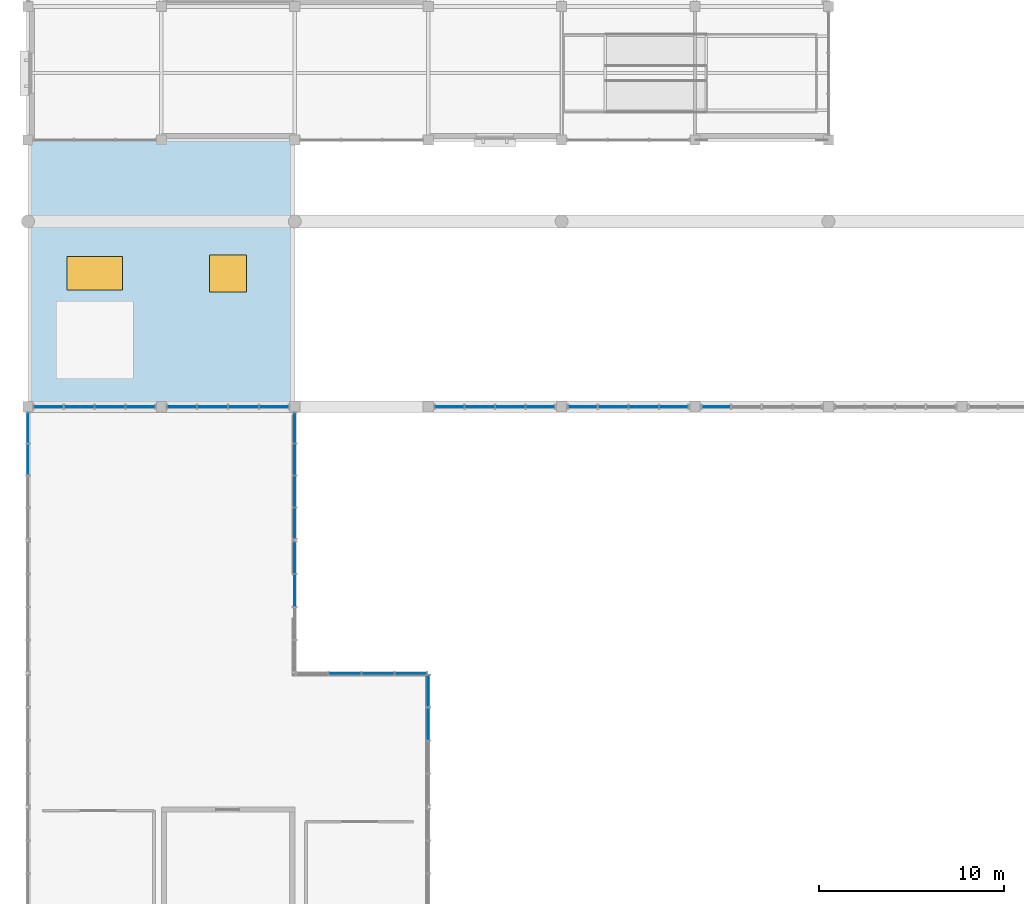
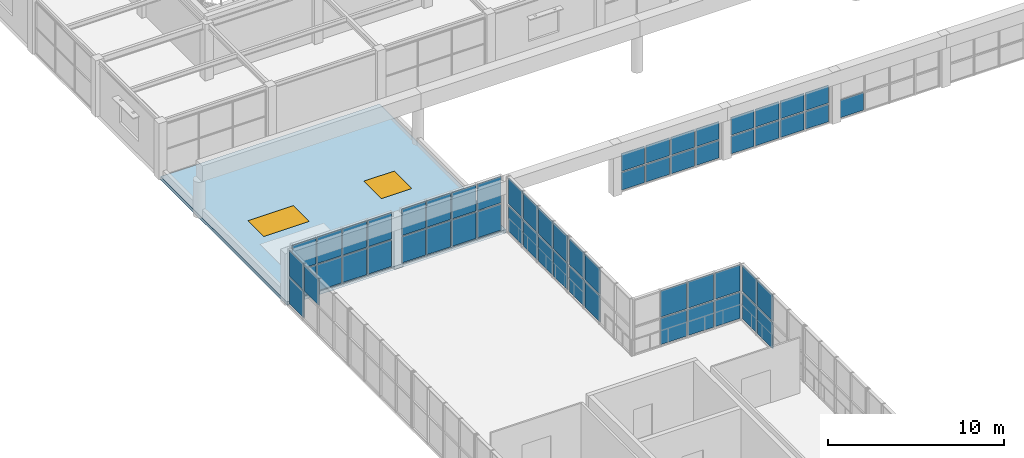
# One storey, part 52 of 83: 58 plates, 2 windows, 1 slab, 2 openings, 10 elements without a shape of their own.
"""IFC4 building model written with IfcOpenShell, lengths in metres."""

from ifc_helpers import new_model, si_unit, direction, frame, origin, origin_2d, place, context, subcontext, project, spatial, polyline, rectangle, outline, extrude, material, layer, layer_set, type_object, element, fill, aggregate, save


model = new_model("IFC4")

# Units and contexts
model_context = context("Model", 3, precision=1e-05, world=origin(), true_north=direction((0.0, 1.0)))
body_context = subcontext(model_context, "Body", "Model", "MODEL_VIEW")
ifc_project = project(units=[si_unit("LENGTHUNIT", "METRE"), si_unit("AREAUNIT", "SQUARE_METRE"), si_unit("VOLUMEUNIT", "CUBIC_METRE"), si_unit("PLANEANGLEUNIT", "RADIAN"), si_unit("MASSUNIT", "GRAM", prefix="KILO")], contexts=[model_context])

# Site, building, storey
site_placement = place(None, origin())
site = spatial("IfcSite", under=ifc_project, at=site_placement, CompositionType="ELEMENT")
building_placement = place(site_placement, origin())
building = spatial("IfcBuilding", under=site, at=building_placement, Name="Leyfeld Transit Interchange", CompositionType="ELEMENT")
storey_placement = place(building_placement, frame((0.0, 0.0, 5.39990234375)))
storey = spatial("IfcBuildingStorey", under=building, at=storey_placement, Name="L01", CompositionType="ELEMENT", Elevation=5.39990234375)

# Curtain wall, plates
ifc_material_1 = material(Name="Anodised aluminium EN AW-6060 T66", Category="aluminium")
curtain_wall_type = type_object("IfcCurtainWallType", Name="CW-SYS-ARC-7200", PredefinedType="NOTDEFINED", material=ifc_material_1)
curtain_wall_1_placement = place(storey_placement, origin())
curtain_wall_1 = element("IfcCurtainWall", 1, at=curtain_wall_1_placement, inside=storey, type_object=curtain_wall_type, Name="Curtain Wall CW-L01-056", PredefinedType="NOTDEFINED")
ifc_material_2 = material(Name="Triple low-E insulated glazing", Category="glass")
ifc_layer_1 = layer(ifc_material_2, 0.0439453125, Name="Triple low-E insulated glazing")
ifc_layer_set_1 = layer_set([ifc_layer_1], Name="Triple low-E insulated glazing")
plate_type = type_object("IfcPlateType", Name="CW-PNL-GLZ-44", PredefinedType="CURTAIN_PANEL", material=ifc_layer_set_1)
plate_1_placement = place(storey_placement, frame((0.0, 47.545654296875, 1.9912109375), z_axis=(0.0, 0.0, 1.0), x_axis=(0.0, 1.0, 0.0)))
plate_1 = element("IfcPlate", 2, at=plate_1_placement, type_object=plate_type, Name="Glazed Curtain Panel CW-L01-056-P03_2", PredefinedType="CURTAIN_PANEL", context=body_context, shape_type="SweptSolid", body=[
    extrude(rectangle(XDim=1.644287109375, YDim=0.0439453125, at=origin_2d()), origin(), (0.0, 0.0, 1.0), 1.825439453125),
])
plate_2_placement = place(storey_placement, frame((0.0, 49.25048828125, 0.08349609375), z_axis=(0.0, 0.0, 1.0), x_axis=(0.0, 1.0, 0.0)))
plate_2 = element("IfcPlate", 3, at=plate_2_placement, type_object=plate_type, Name="Glazed Curtain Panel CW-L01-056-P04_1", PredefinedType="CURTAIN_PANEL", context=body_context, shape_type="SweptSolid", body=[
    extrude(rectangle(XDim=1.601806640625, YDim=0.0439453125, at=origin_2d()), origin(), (0.0, 0.0, 1.0), 1.825439453125),
])
plate_3_placement = place(storey_placement, frame((0.0, 49.25048828125, 1.9912109375), z_axis=(0.0, 0.0, 1.0), x_axis=(0.0, 1.0, 0.0)))
plate_3 = element("IfcPlate", 4, at=plate_3_placement, type_object=plate_type, Name="Glazed Curtain Panel CW-L01-056-P04_2", PredefinedType="CURTAIN_PANEL", context=body_context, shape_type="SweptSolid", body=[
    extrude(rectangle(XDim=1.601806640625, YDim=0.0439453125, at=origin_2d()), origin(), (0.0, 0.0, 1.0), 1.825439453125),
])
aggregate(curtain_wall_1, [plate_1, plate_2, plate_3])

curtain_wall_2_placement = place(storey_placement, origin())
curtain_wall_2 = element("IfcCurtainWall", 5, at=curtain_wall_2_placement, inside=storey, type_object=curtain_wall_type, Name="Curtain Wall CW-L01-057", PredefinedType="NOTDEFINED")
plate_4_placement = place(storey_placement, frame((1.1201171875, 50.39990234375, 0.08349609375), z_axis=(0.0, 0.0, 1.0), x_axis=(1.0, 0.0, 0.0)))
plate_4 = element("IfcPlate", 6, at=plate_4_placement, type_object=plate_type, Name="Glazed Curtain Panel CW-L01-057-P01_1", PredefinedType="CURTAIN_PANEL", context=body_context, shape_type="SweptSolid", body=[
    extrude(rectangle(XDim=1.54296875, YDim=0.0439453125, at=origin_2d()), origin(), (0.0, 0.0, 1.0), 1.825439453125),
])
plate_5_placement = place(storey_placement, frame((1.1201171875, 50.39990234375, 1.9912109375), z_axis=(0.0, 0.0, 1.0), x_axis=(1.0, 0.0, 0.0)))
plate_5 = element("IfcPlate", 7, at=plate_5_placement, type_object=plate_type, Name="Glazed Curtain Panel CW-L01-057-P01_2", PredefinedType="CURTAIN_PANEL", context=body_context, shape_type="SweptSolid", body=[
    extrude(rectangle(XDim=1.54296875, YDim=0.0439453125, at=origin_2d()), origin(), (0.0, 0.0, 1.0), 1.825439453125),
])
plate_6_placement = place(storey_placement, frame((2.76611328125, 50.39990234375, 0.08349609375), z_axis=(0.0, 0.0, 1.0), x_axis=(1.0, 0.0, 0.0)))
plate_6 = element("IfcPlate", 8, at=plate_6_placement, type_object=plate_type, Name="Glazed Curtain Panel CW-L01-057-P02_1", PredefinedType="CURTAIN_PANEL", context=body_context, shape_type="SweptSolid", body=[
    extrude(rectangle(XDim=1.58544921875, YDim=0.0439453125, at=origin_2d()), origin(), (0.0, 0.0, 1.0), 1.825439453125),
])
plate_7_placement = place(storey_placement, frame((2.76611328125, 50.39990234375, 1.9912109375), z_axis=(0.0, 0.0, 1.0), x_axis=(1.0, 0.0, 0.0)))
plate_7 = element("IfcPlate", 9, at=plate_7_placement, type_object=plate_type, Name="Glazed Curtain Panel CW-L01-057-P02_2", PredefinedType="CURTAIN_PANEL", context=body_context, shape_type="SweptSolid", body=[
    extrude(rectangle(XDim=1.58544921875, YDim=0.0439453125, at=origin_2d()), origin(), (0.0, 0.0, 1.0), 1.825439453125),
])
plate_8_placement = place(storey_placement, frame((4.43359375, 50.39990234375, 0.08349609375), z_axis=(0.0, 0.0, 1.0), x_axis=(1.0, 0.0, 0.0)))
plate_8 = element("IfcPlate", 10, at=plate_8_placement, type_object=plate_type, Name="Glazed Curtain Panel CW-L01-057-P03_1", PredefinedType="CURTAIN_PANEL", context=body_context, shape_type="SweptSolid", body=[
    extrude(rectangle(XDim=1.58544921875, YDim=0.0439453125, at=origin_2d()), origin(), (0.0, 0.0, 1.0), 1.825439453125),
])
plate_9_placement = place(storey_placement, frame((4.43359375, 50.39990234375, 1.9912109375), z_axis=(0.0, 0.0, 1.0), x_axis=(1.0, 0.0, 0.0)))
plate_9 = element("IfcPlate", 11, at=plate_9_placement, type_object=plate_type, Name="Glazed Curtain Panel CW-L01-057-P03_2", PredefinedType="CURTAIN_PANEL", context=body_context, shape_type="SweptSolid", body=[
    extrude(rectangle(XDim=1.58544921875, YDim=0.0439453125, at=origin_2d()), origin(), (0.0, 0.0, 1.0), 1.825439453125),
])
plate_10_placement = place(storey_placement, frame((6.080078125, 50.39990234375, 0.08349609375), z_axis=(0.0, 0.0, 1.0), x_axis=(1.0, 0.0, 0.0)))
plate_10 = element("IfcPlate", 12, at=plate_10_placement, type_object=plate_type, Name="Glazed Curtain Panel CW-L01-057-P04_1", PredefinedType="CURTAIN_PANEL", context=body_context, shape_type="SweptSolid", body=[
    extrude(rectangle(XDim=1.54296875, YDim=0.0439453125, at=origin_2d()), origin(), (0.0, 0.0, 1.0), 1.825439453125),
])
plate_11_placement = place(storey_placement, frame((6.080078125, 50.39990234375, 1.9912109375), z_axis=(0.0, 0.0, 1.0), x_axis=(1.0, 0.0, 0.0)))
plate_11 = element("IfcPlate", 13, at=plate_11_placement, type_object=plate_type, Name="Glazed Curtain Panel CW-L01-057-P04_2", PredefinedType="CURTAIN_PANEL", context=body_context, shape_type="SweptSolid", body=[
    extrude(rectangle(XDim=1.54296875, YDim=0.0439453125, at=origin_2d()), origin(), (0.0, 0.0, 1.0), 1.825439453125),
])
aggregate(curtain_wall_2, [plate_4, plate_5, plate_6, plate_7, plate_8, plate_9, plate_10, plate_11])

curtain_wall_3_placement = place(storey_placement, origin())
curtain_wall_3 = element("IfcCurtainWall", 14, at=curtain_wall_3_placement, inside=storey, type_object=curtain_wall_type, Name="Curtain Wall CW-L01-058", PredefinedType="NOTDEFINED")
plate_12_placement = place(storey_placement, frame((8.320068359375, 50.39990234375, 0.08349609375), z_axis=(0.0, 0.0, 1.0), x_axis=(1.0, 0.0, 0.0)))
plate_12 = element("IfcPlate", 15, at=plate_12_placement, type_object=plate_type, Name="Glazed Curtain Panel CW-L01-058-P01_1", PredefinedType="CURTAIN_PANEL", context=body_context, shape_type="SweptSolid", body=[
    extrude(rectangle(XDim=1.54296875, YDim=0.0439453125, at=origin_2d()), origin(), (0.0, 0.0, 1.0), 1.825439453125),
])
plate_13_placement = place(storey_placement, frame((8.320068359375, 50.39990234375, 1.9912109375), z_axis=(0.0, 0.0, 1.0), x_axis=(1.0, 0.0, 0.0)))
plate_13 = element("IfcPlate", 16, at=plate_13_placement, type_object=plate_type, Name="Glazed Curtain Panel CW-L01-058-P01_2", PredefinedType="CURTAIN_PANEL", context=body_context, shape_type="SweptSolid", body=[
    extrude(rectangle(XDim=1.54296875, YDim=0.0439453125, at=origin_2d()), origin(), (0.0, 0.0, 1.0), 1.825439453125),
])
plate_14_placement = place(storey_placement, frame((9.96630859375, 50.39990234375, 0.08349609375), z_axis=(0.0, 0.0, 1.0), x_axis=(1.0, 0.0, 0.0)))
plate_14 = element("IfcPlate", 17, at=plate_14_placement, type_object=plate_type, Name="Glazed Curtain Panel CW-L01-058-P02_1", PredefinedType="CURTAIN_PANEL", context=body_context, shape_type="SweptSolid", body=[
    extrude(rectangle(XDim=1.58544921875, YDim=0.0439453125, at=origin_2d()), origin(), (0.0, 0.0, 1.0), 1.825439453125),
])
plate_15_placement = place(storey_placement, frame((9.96630859375, 50.39990234375, 1.9912109375), z_axis=(0.0, 0.0, 1.0), x_axis=(1.0, 0.0, 0.0)))
plate_15 = element("IfcPlate", 18, at=plate_15_placement, type_object=plate_type, Name="Glazed Curtain Panel CW-L01-058-P02_2", PredefinedType="CURTAIN_PANEL", context=body_context, shape_type="SweptSolid", body=[
    extrude(rectangle(XDim=1.58544921875, YDim=0.0439453125, at=origin_2d()), origin(), (0.0, 0.0, 1.0), 1.825439453125),
])
plate_16_placement = place(storey_placement, frame((11.6337890625, 50.39990234375, 0.08349609375), z_axis=(0.0, 0.0, 1.0), x_axis=(1.0, 0.0, 0.0)))
plate_16 = element("IfcPlate", 19, at=plate_16_placement, type_object=plate_type, Name="Glazed Curtain Panel CW-L01-058-P03_1", PredefinedType="CURTAIN_PANEL", context=body_context, shape_type="SweptSolid", body=[
    extrude(rectangle(XDim=1.58544921875, YDim=0.0439453125, at=origin_2d()), origin(), (0.0, 0.0, 1.0), 1.825439453125),
])
plate_17_placement = place(storey_placement, frame((11.6337890625, 50.39990234375, 1.9912109375), z_axis=(0.0, 0.0, 1.0), x_axis=(1.0, 0.0, 0.0)))
plate_17 = element("IfcPlate", 20, at=plate_17_placement, type_object=plate_type, Name="Glazed Curtain Panel CW-L01-058-P03_2", PredefinedType="CURTAIN_PANEL", context=body_context, shape_type="SweptSolid", body=[
    extrude(rectangle(XDim=1.58544921875, YDim=0.0439453125, at=origin_2d()), origin(), (0.0, 0.0, 1.0), 1.825439453125),
])
plate_18_placement = place(storey_placement, frame((13.280029296875, 50.39990234375, 0.08349609375), z_axis=(0.0, 0.0, 1.0), x_axis=(1.0, 0.0, 0.0)))
plate_18 = element("IfcPlate", 21, at=plate_18_placement, type_object=plate_type, Name="Glazed Curtain Panel CW-L01-058-P04_1", PredefinedType="CURTAIN_PANEL", context=body_context, shape_type="SweptSolid", body=[
    extrude(rectangle(XDim=1.54296875, YDim=0.0439453125, at=origin_2d()), origin(), (0.0, 0.0, 1.0), 1.825439453125),
])
plate_19_placement = place(storey_placement, frame((13.280029296875, 50.39990234375, 1.9912109375), z_axis=(0.0, 0.0, 1.0), x_axis=(1.0, 0.0, 0.0)))
plate_19 = element("IfcPlate", 22, at=plate_19_placement, type_object=plate_type, Name="Glazed Curtain Panel CW-L01-058-P04_2", PredefinedType="CURTAIN_PANEL", context=body_context, shape_type="SweptSolid", body=[
    extrude(rectangle(XDim=1.54296875, YDim=0.0439453125, at=origin_2d()), origin(), (0.0, 0.0, 1.0), 1.825439453125),
])
aggregate(curtain_wall_3, [plate_12, plate_13, plate_14, plate_15, plate_16, plate_17, plate_18, plate_19])

curtain_wall_4_placement = place(storey_placement, origin())
curtain_wall_4 = element("IfcCurtainWall", 23, at=curtain_wall_4_placement, inside=storey, type_object=curtain_wall_type, Name="Curtain Wall CW-L01-059", PredefinedType="NOTDEFINED")
plate_20_placement = place(storey_placement, frame((14.39990234375, 49.25048828125, 0.08349609375), z_axis=(0.0, 0.0, 1.0), x_axis=(0.0, -1.0, 0.0)))
plate_20 = element("IfcPlate", 24, at=plate_20_placement, type_object=plate_type, Name="Glazed Curtain Panel CW-L01-059-P01_1", PredefinedType="CURTAIN_PANEL", context=body_context, shape_type="SweptSolid", body=[
    extrude(rectangle(XDim=1.601806640625, YDim=0.0439453125, at=origin_2d()), origin(), (0.0, 0.0, 1.0), 1.825439453125),
])
plate_21_placement = place(storey_placement, frame((14.39990234375, 49.25048828125, 1.9912109375), z_axis=(0.0, 0.0, 1.0), x_axis=(0.0, -1.0, 0.0)))
plate_21 = element("IfcPlate", 25, at=plate_21_placement, type_object=plate_type, Name="Glazed Curtain Panel CW-L01-059-P01_2", PredefinedType="CURTAIN_PANEL", context=body_context, shape_type="SweptSolid", body=[
    extrude(rectangle(XDim=1.601806640625, YDim=0.0439453125, at=origin_2d()), origin(), (0.0, 0.0, 1.0), 1.825439453125),
])
plate_22_placement = place(storey_placement, frame((14.39990234375, 47.545654296875, 0.08349609375), z_axis=(0.0, 0.0, 1.0), x_axis=(0.0, -1.0, 0.0)))
plate_22 = element("IfcPlate", 26, at=plate_22_placement, type_object=plate_type, Name="Glazed Curtain Panel CW-L01-059-P02_1", PredefinedType="CURTAIN_PANEL", context=body_context, shape_type="SweptSolid", body=[
    extrude(rectangle(XDim=1.644287109375, YDim=0.0439453125, at=origin_2d()), origin(), (0.0, 0.0, 1.0), 1.825439453125),
])
plate_23_placement = place(storey_placement, frame((14.39990234375, 47.545654296875, 1.9912109375), z_axis=(0.0, 0.0, 1.0), x_axis=(0.0, -1.0, 0.0)))
plate_23 = element("IfcPlate", 27, at=plate_23_placement, type_object=plate_type, Name="Glazed Curtain Panel CW-L01-059-P02_2", PredefinedType="CURTAIN_PANEL", context=body_context, shape_type="SweptSolid", body=[
    extrude(rectangle(XDim=1.644287109375, YDim=0.0439453125, at=origin_2d()), origin(), (0.0, 0.0, 1.0), 1.825439453125),
])
plate_24_placement = place(storey_placement, frame((14.39990234375, 45.8193359375, 0.08349609375), z_axis=(0.0, 0.0, 1.0), x_axis=(0.0, -1.0, 0.0)))
plate_24 = element("IfcPlate", 28, at=plate_24_placement, type_object=plate_type, Name="Glazed Curtain Panel CW-L01-059-P03_1", PredefinedType="CURTAIN_PANEL", context=body_context, shape_type="SweptSolid", body=[
    extrude(rectangle(XDim=1.644287109375, YDim=0.0439453125, at=origin_2d()), origin(), (0.0, 0.0, 1.0), 1.825439453125),
])
plate_25_placement = place(storey_placement, frame((14.39990234375, 45.8193359375, 1.9912109375), z_axis=(0.0, 0.0, 1.0), x_axis=(0.0, -1.0, 0.0)))
plate_25 = element("IfcPlate", 29, at=plate_25_placement, type_object=plate_type, Name="Glazed Curtain Panel CW-L01-059-P03_2", PredefinedType="CURTAIN_PANEL", context=body_context, shape_type="SweptSolid", body=[
    extrude(rectangle(XDim=1.644287109375, YDim=0.0439453125, at=origin_2d()), origin(), (0.0, 0.0, 1.0), 1.825439453125),
])
plate_26_placement = place(storey_placement, frame((14.39990234375, 44.114501953125, 0.08349609375), z_axis=(0.0, 0.0, 1.0), x_axis=(0.0, -1.0, 0.0)))
plate_26 = element("IfcPlate", 30, at=plate_26_placement, type_object=plate_type, Name="Glazed Curtain Panel CW-L01-059-P04_1", PredefinedType="CURTAIN_PANEL", context=body_context, shape_type="SweptSolid", body=[
    extrude(rectangle(XDim=1.601806640625, YDim=0.0439453125, at=origin_2d()), origin(), (0.0, 0.0, 1.0), 1.825439453125),
])
plate_27_placement = place(storey_placement, frame((14.39990234375, 44.114501953125, 1.9912109375), z_axis=(0.0, 0.0, 1.0), x_axis=(0.0, -1.0, 0.0)))
plate_27 = element("IfcPlate", 31, at=plate_27_placement, type_object=plate_type, Name="Glazed Curtain Panel CW-L01-059-P04_2", PredefinedType="CURTAIN_PANEL", context=body_context, shape_type="SweptSolid", body=[
    extrude(rectangle(XDim=1.601806640625, YDim=0.0439453125, at=origin_2d()), origin(), (0.0, 0.0, 1.0), 1.825439453125),
])
aggregate(curtain_wall_4, [plate_20, plate_21, plate_22, plate_23, plate_24, plate_25, plate_26, plate_27])

curtain_wall_5_placement = place(storey_placement, origin())
curtain_wall_5 = element("IfcCurtainWall", 32, at=curtain_wall_5_placement, inside=storey, type_object=curtain_wall_type, Name="Curtain Wall CW-L01-060", PredefinedType="NOTDEFINED")
plate_28_placement = place(storey_placement, frame((14.39990234375, 42.25634765625, 0.08349609375), z_axis=(0.0, 0.0, 1.0), x_axis=(0.0, -1.0, 0.0)))
plate_28 = element("IfcPlate", 33, at=plate_28_placement, type_object=plate_type, Name="Glazed Curtain Panel CW-L01-060-P01_1", PredefinedType="CURTAIN_PANEL", context=body_context, shape_type="SweptSolid", body=[
    extrude(rectangle(XDim=1.660400390625, YDim=0.0439453125, at=origin_2d()), origin(), (0.0, 0.0, 1.0), 1.825439453125),
])
plate_29_placement = place(storey_placement, frame((14.39990234375, 42.25634765625, 1.9912109375), z_axis=(0.0, 0.0, 1.0), x_axis=(0.0, -1.0, 0.0)))
plate_29 = element("IfcPlate", 34, at=plate_29_placement, type_object=plate_type, Name="Glazed Curtain Panel CW-L01-060-P01_2", PredefinedType="CURTAIN_PANEL", context=body_context, shape_type="SweptSolid", body=[
    extrude(rectangle(XDim=1.660400390625, YDim=0.0439453125, at=origin_2d()), origin(), (0.0, 0.0, 1.0), 1.825439453125),
])
plate_30_placement = place(storey_placement, frame((14.39990234375, 40.492431640625, 0.08349609375), z_axis=(0.0, 0.0, 1.0), x_axis=(0.0, -1.0, 0.0)))
plate_30 = element("IfcPlate", 35, at=plate_30_placement, type_object=plate_type, Name="Glazed Curtain Panel CW-L01-060-P02_1", PredefinedType="CURTAIN_PANEL", context=body_context, shape_type="SweptSolid", body=[
    extrude(rectangle(XDim=1.702880859375, YDim=0.0439453125, at=origin_2d()), origin(), (0.0, 0.0, 1.0), 1.825439453125),
])
plate_31_placement = place(storey_placement, frame((14.39990234375, 40.492431640625, 1.9912109375), z_axis=(0.0, 0.0, 1.0), x_axis=(0.0, -1.0, 0.0)))
plate_31 = element("IfcPlate", 36, at=plate_31_placement, type_object=plate_type, Name="Glazed Curtain Panel CW-L01-060-P02_2", PredefinedType="CURTAIN_PANEL", context=body_context, shape_type="SweptSolid", body=[
    extrude(rectangle(XDim=1.702880859375, YDim=0.0439453125, at=origin_2d()), origin(), (0.0, 0.0, 1.0), 1.825439453125),
])
aggregate(curtain_wall_5, [plate_28, plate_29, plate_30, plate_31])

curtain_wall_6_placement = place(storey_placement, origin())
curtain_wall_6 = element("IfcCurtainWall", 37, at=curtain_wall_6_placement, inside=storey, type_object=curtain_wall_type, Name="Curtain Wall CW-L01-061", PredefinedType="NOTDEFINED")
plate_32_placement = place(storey_placement, frame((17.107421875, 36.0, 0.08349609375), z_axis=(0.0, 0.0, 1.0), x_axis=(1.0, 0.0, 0.0)))
plate_32 = element("IfcPlate", 38, at=plate_32_placement, type_object=plate_type, Name="Glazed Curtain Panel CW-L01-061-P02_1", PredefinedType="CURTAIN_PANEL", context=body_context, shape_type="SweptSolid", body=[
    extrude(rectangle(XDim=1.702880859375, YDim=0.0439453125, at=origin_2d()), origin(), (0.0, 0.0, 1.0), 1.825439453125),
])
plate_33_placement = place(storey_placement, frame((17.107421875, 36.0, 1.9912109375), z_axis=(0.0, 0.0, 1.0), x_axis=(1.0, 0.0, 0.0)))
plate_33 = element("IfcPlate", 39, at=plate_33_placement, type_object=plate_type, Name="Glazed Curtain Panel CW-L01-061-P02_2", PredefinedType="CURTAIN_PANEL", context=body_context, shape_type="SweptSolid", body=[
    extrude(rectangle(XDim=1.702880859375, YDim=0.0439453125, at=origin_2d()), origin(), (0.0, 0.0, 1.0), 1.825439453125),
])
plate_34_placement = place(storey_placement, frame((18.892578125, 36.0, 0.08349609375), z_axis=(0.0, 0.0, 1.0), x_axis=(1.0, 0.0, 0.0)))
plate_34 = element("IfcPlate", 40, at=plate_34_placement, type_object=plate_type, Name="Glazed Curtain Panel CW-L01-061-P03_1", PredefinedType="CURTAIN_PANEL", context=body_context, shape_type="SweptSolid", body=[
    extrude(rectangle(XDim=1.702880859375, YDim=0.0439453125, at=origin_2d()), origin(), (0.0, 0.0, 1.0), 1.825439453125),
])
plate_35_placement = place(storey_placement, frame((18.892578125, 36.0, 1.9912109375), z_axis=(0.0, 0.0, 1.0), x_axis=(1.0, 0.0, 0.0)))
plate_35 = element("IfcPlate", 41, at=plate_35_placement, type_object=plate_type, Name="Glazed Curtain Panel CW-L01-061-P03_2", PredefinedType="CURTAIN_PANEL", context=body_context, shape_type="SweptSolid", body=[
    extrude(rectangle(XDim=1.702880859375, YDim=0.0439453125, at=origin_2d()), origin(), (0.0, 0.0, 1.0), 1.825439453125),
])
plate_36_placement = place(storey_placement, frame((20.65625, 36.0, 0.08349609375), z_axis=(0.0, 0.0, 1.0), x_axis=(1.0, 0.0, 0.0)))
plate_36 = element("IfcPlate", 42, at=plate_36_placement, type_object=plate_type, Name="Glazed Curtain Panel CW-L01-061-P04_1", PredefinedType="CURTAIN_PANEL", context=body_context, shape_type="SweptSolid", body=[
    extrude(rectangle(XDim=1.660400390625, YDim=0.0439453125, at=origin_2d()), origin(), (0.0, 0.0, 1.0), 1.825439453125),
])
plate_37_placement = place(storey_placement, frame((20.65625, 36.0, 1.9912109375), z_axis=(0.0, 0.0, 1.0), x_axis=(1.0, 0.0, 0.0)))
plate_37 = element("IfcPlate", 43, at=plate_37_placement, type_object=plate_type, Name="Glazed Curtain Panel CW-L01-061-P04_2", PredefinedType="CURTAIN_PANEL", context=body_context, shape_type="SweptSolid", body=[
    extrude(rectangle(XDim=1.660400390625, YDim=0.0439453125, at=origin_2d()), origin(), (0.0, 0.0, 1.0), 1.825439453125),
])
aggregate(curtain_wall_6, [plate_32, plate_33, plate_34, plate_35, plate_36, plate_37])

curtain_wall_7_placement = place(storey_placement, origin())
curtain_wall_7 = element("IfcCurtainWall", 44, at=curtain_wall_7_placement, inside=storey, type_object=curtain_wall_type, Name="Curtain Wall CW-L01-062", PredefinedType="NOTDEFINED")
plate_38_placement = place(storey_placement, frame((21.60009765625, 35.05615234375, 0.08349609375), z_axis=(0.0, 0.0, 1.0), x_axis=(0.0, -1.0, 0.0)))
plate_38 = element("IfcPlate", 45, at=plate_38_placement, type_object=plate_type, Name="Glazed Curtain Panel CW-L01-062-P01_1", PredefinedType="CURTAIN_PANEL", context=body_context, shape_type="SweptSolid", body=[
    extrude(rectangle(XDim=1.660400390625, YDim=0.0439453125, at=origin_2d()), origin(), (0.0, 0.0, 1.0), 1.825439453125),
])
plate_39_placement = place(storey_placement, frame((21.60009765625, 35.05615234375, 1.9912109375), z_axis=(0.0, 0.0, 1.0), x_axis=(0.0, -1.0, 0.0)))
plate_39 = element("IfcPlate", 46, at=plate_39_placement, type_object=plate_type, Name="Glazed Curtain Panel CW-L01-062-P01_2", PredefinedType="CURTAIN_PANEL", context=body_context, shape_type="SweptSolid", body=[
    extrude(rectangle(XDim=1.660400390625, YDim=0.0439453125, at=origin_2d()), origin(), (0.0, 0.0, 1.0), 1.825439453125),
])
plate_40_placement = place(storey_placement, frame((21.60009765625, 33.29248046875, 0.08349609375), z_axis=(0.0, 0.0, 1.0), x_axis=(0.0, -1.0, 0.0)))
plate_40 = element("IfcPlate", 47, at=plate_40_placement, type_object=plate_type, Name="Glazed Curtain Panel CW-L01-062-P02_1", PredefinedType="CURTAIN_PANEL", context=body_context, shape_type="SweptSolid", body=[
    extrude(rectangle(XDim=1.702880859375, YDim=0.0439453125, at=origin_2d()), origin(), (0.0, 0.0, 1.0), 1.825439453125),
])
plate_41_placement = place(storey_placement, frame((21.60009765625, 33.29248046875, 1.9912109375), z_axis=(0.0, 0.0, 1.0), x_axis=(0.0, -1.0, 0.0)))
plate_41 = element("IfcPlate", 48, at=plate_41_placement, type_object=plate_type, Name="Glazed Curtain Panel CW-L01-062-P02_2", PredefinedType="CURTAIN_PANEL", context=body_context, shape_type="SweptSolid", body=[
    extrude(rectangle(XDim=1.702880859375, YDim=0.0439453125, at=origin_2d()), origin(), (0.0, 0.0, 1.0), 1.825439453125),
])
aggregate(curtain_wall_7, [plate_38, plate_39, plate_40, plate_41])

curtain_wall_8_placement = place(storey_placement, origin())
curtain_wall_8 = element("IfcCurtainWall", 49, at=curtain_wall_8_placement, inside=storey, type_object=curtain_wall_type, Name="Curtain Wall CW-L01-CLR-160", PredefinedType="NOTDEFINED")
plate_42_placement = place(storey_placement, frame((27.65380859375, 50.39990234375, 0.08349609375), z_axis=(0.0, 0.0, 1.0), x_axis=(-1.0, 0.0, 0.0)))
plate_42 = element("IfcPlate", 50, at=plate_42_placement, type_object=plate_type, Name="Glazed Curtain Panel CW-L01-CLR-160-P01_1", PredefinedType="CURTAIN_PANEL", context=body_context, shape_type="SweptSolid", body=[
    extrude(rectangle(XDim=1.525390625, YDim=0.0439453125, at=origin_2d()), origin(), (0.0, 0.0, 1.0), 1.2255859375),
])
plate_43_placement = place(storey_placement, frame((27.65380859375, 50.39990234375, 1.39111328125), z_axis=(0.0, 0.0, 1.0), x_axis=(-1.0, 0.0, 0.0)))
plate_43 = element("IfcPlate", 51, at=plate_43_placement, type_object=plate_type, Name="Glazed Curtain Panel CW-L01-CLR-160-P01_2", PredefinedType="CURTAIN_PANEL", context=body_context, shape_type="SweptSolid", body=[
    extrude(rectangle(XDim=1.525390625, YDim=0.0439453125, at=origin_2d()), origin(), (0.0, 0.0, 1.0), 1.2255859375),
])
plate_44_placement = place(storey_placement, frame((26.02490234375, 50.39990234375, 0.08349609375), z_axis=(0.0, 0.0, 1.0), x_axis=(-1.0, 0.0, 0.0)))
plate_44 = element("IfcPlate", 52, at=plate_44_placement, type_object=plate_type, Name="Glazed Curtain Panel CW-L01-CLR-160-P02_1", PredefinedType="CURTAIN_PANEL", context=body_context, shape_type="SweptSolid", body=[
    extrude(rectangle(XDim=1.568115234375, YDim=0.0439453125, at=origin_2d()), origin(), (0.0, 0.0, 1.0), 1.2255859375),
])
plate_45_placement = place(storey_placement, frame((26.02490234375, 50.39990234375, 1.39111328125), z_axis=(0.0, 0.0, 1.0), x_axis=(-1.0, 0.0, 0.0)))
plate_45 = element("IfcPlate", 53, at=plate_45_placement, type_object=plate_type, Name="Glazed Curtain Panel CW-L01-CLR-160-P02_2", PredefinedType="CURTAIN_PANEL", context=body_context, shape_type="SweptSolid", body=[
    extrude(rectangle(XDim=1.568115234375, YDim=0.0439453125, at=origin_2d()), origin(), (0.0, 0.0, 1.0), 1.2255859375),
])
plate_46_placement = place(storey_placement, frame((24.375, 50.39990234375, 0.08349609375), z_axis=(0.0, 0.0, 1.0), x_axis=(-1.0, 0.0, 0.0)))
plate_46 = element("IfcPlate", 54, at=plate_46_placement, type_object=plate_type, Name="Glazed Curtain Panel CW-L01-CLR-160-P03_1", PredefinedType="CURTAIN_PANEL", context=body_context, shape_type="SweptSolid", body=[
    extrude(rectangle(XDim=1.568115234375, YDim=0.0439453125, at=origin_2d()), origin(), (0.0, 0.0, 1.0), 1.2255859375),
])
plate_47_placement = place(storey_placement, frame((24.375, 50.39990234375, 1.39111328125), z_axis=(0.0, 0.0, 1.0), x_axis=(-1.0, 0.0, 0.0)))
plate_47 = element("IfcPlate", 55, at=plate_47_placement, type_object=plate_type, Name="Glazed Curtain Panel CW-L01-CLR-160-P03_2", PredefinedType="CURTAIN_PANEL", context=body_context, shape_type="SweptSolid", body=[
    extrude(rectangle(XDim=1.568115234375, YDim=0.0439453125, at=origin_2d()), origin(), (0.0, 0.0, 1.0), 1.2255859375),
])
plate_48_placement = place(storey_placement, frame((22.74609375, 50.39990234375, 0.08349609375), z_axis=(0.0, 0.0, 1.0), x_axis=(-1.0, 0.0, 0.0)))
plate_48 = element("IfcPlate", 56, at=plate_48_placement, type_object=plate_type, Name="Glazed Curtain Panel CW-L01-CLR-160-P04_1", PredefinedType="CURTAIN_PANEL", context=body_context, shape_type="SweptSolid", body=[
    extrude(rectangle(XDim=1.525390625, YDim=0.0439453125, at=origin_2d()), origin(), (0.0, 0.0, 1.0), 1.2255859375),
])
plate_49_placement = place(storey_placement, frame((22.74609375, 50.39990234375, 1.39111328125), z_axis=(0.0, 0.0, 1.0), x_axis=(-1.0, 0.0, 0.0)))
plate_49 = element("IfcPlate", 57, at=plate_49_placement, type_object=plate_type, Name="Glazed Curtain Panel CW-L01-CLR-160-P04_2", PredefinedType="CURTAIN_PANEL", context=body_context, shape_type="SweptSolid", body=[
    extrude(rectangle(XDim=1.525390625, YDim=0.0439453125, at=origin_2d()), origin(), (0.0, 0.0, 1.0), 1.2255859375),
])
aggregate(curtain_wall_8, [plate_42, plate_43, plate_44, plate_45, plate_46, plate_47, plate_48, plate_49])

curtain_wall_9_placement = place(storey_placement, origin())
curtain_wall_9 = element("IfcCurtainWall", 58, at=curtain_wall_9_placement, inside=storey, type_object=curtain_wall_type, Name="Curtain Wall CW-L01-CLR-161", PredefinedType="NOTDEFINED")
plate_50_placement = place(storey_placement, frame((34.853759765625, 50.39990234375, 0.08349609375), z_axis=(0.0, 0.0, 1.0), x_axis=(-1.0, 0.0, 0.0)))
plate_50 = element("IfcPlate", 59, at=plate_50_placement, type_object=plate_type, Name="Glazed Curtain Panel CW-L01-CLR-161-P01_1", PredefinedType="CURTAIN_PANEL", context=body_context, shape_type="SweptSolid", body=[
    extrude(rectangle(XDim=1.525390625, YDim=0.0439453125, at=origin_2d()), origin(), (0.0, 0.0, 1.0), 1.2255859375),
])
plate_51_placement = place(storey_placement, frame((34.853759765625, 50.39990234375, 1.39111328125), z_axis=(0.0, 0.0, 1.0), x_axis=(-1.0, 0.0, 0.0)))
plate_51 = element("IfcPlate", 60, at=plate_51_placement, type_object=plate_type, Name="Glazed Curtain Panel CW-L01-CLR-161-P01_2", PredefinedType="CURTAIN_PANEL", context=body_context, shape_type="SweptSolid", body=[
    extrude(rectangle(XDim=1.525390625, YDim=0.0439453125, at=origin_2d()), origin(), (0.0, 0.0, 1.0), 1.2255859375),
])
plate_52_placement = place(storey_placement, frame((33.22509765625, 50.39990234375, 0.08349609375), z_axis=(0.0, 0.0, 1.0), x_axis=(-1.0, 0.0, 0.0)))
plate_52 = element("IfcPlate", 61, at=plate_52_placement, type_object=plate_type, Name="Glazed Curtain Panel CW-L01-CLR-161-P02_1", PredefinedType="CURTAIN_PANEL", context=body_context, shape_type="SweptSolid", body=[
    extrude(rectangle(XDim=1.568115234375, YDim=0.0439453125, at=origin_2d()), origin(), (0.0, 0.0, 1.0), 1.2255859375),
])
plate_53_placement = place(storey_placement, frame((33.22509765625, 50.39990234375, 1.39111328125), z_axis=(0.0, 0.0, 1.0), x_axis=(-1.0, 0.0, 0.0)))
plate_53 = element("IfcPlate", 62, at=plate_53_placement, type_object=plate_type, Name="Glazed Curtain Panel CW-L01-CLR-161-P02_2", PredefinedType="CURTAIN_PANEL", context=body_context, shape_type="SweptSolid", body=[
    extrude(rectangle(XDim=1.568115234375, YDim=0.0439453125, at=origin_2d()), origin(), (0.0, 0.0, 1.0), 1.2255859375),
])
plate_54_placement = place(storey_placement, frame((31.574951171875, 50.39990234375, 0.08349609375), z_axis=(0.0, 0.0, 1.0), x_axis=(-1.0, 0.0, 0.0)))
plate_54 = element("IfcPlate", 63, at=plate_54_placement, type_object=plate_type, Name="Glazed Curtain Panel CW-L01-CLR-161-P03_1", PredefinedType="CURTAIN_PANEL", context=body_context, shape_type="SweptSolid", body=[
    extrude(rectangle(XDim=1.568115234375, YDim=0.0439453125, at=origin_2d()), origin(), (0.0, 0.0, 1.0), 1.2255859375),
])
plate_55_placement = place(storey_placement, frame((31.574951171875, 50.39990234375, 1.39111328125), z_axis=(0.0, 0.0, 1.0), x_axis=(-1.0, 0.0, 0.0)))
plate_55 = element("IfcPlate", 64, at=plate_55_placement, type_object=plate_type, Name="Glazed Curtain Panel CW-L01-CLR-161-P03_2", PredefinedType="CURTAIN_PANEL", context=body_context, shape_type="SweptSolid", body=[
    extrude(rectangle(XDim=1.568115234375, YDim=0.0439453125, at=origin_2d()), origin(), (0.0, 0.0, 1.0), 1.2255859375),
])
plate_56_placement = place(storey_placement, frame((29.9462890625, 50.39990234375, 0.08349609375), z_axis=(0.0, 0.0, 1.0), x_axis=(-1.0, 0.0, 0.0)))
plate_56 = element("IfcPlate", 65, at=plate_56_placement, type_object=plate_type, Name="Glazed Curtain Panel CW-L01-CLR-161-P04_1", PredefinedType="CURTAIN_PANEL", context=body_context, shape_type="SweptSolid", body=[
    extrude(rectangle(XDim=1.525390625, YDim=0.0439453125, at=origin_2d()), origin(), (0.0, 0.0, 1.0), 1.2255859375),
])
plate_57_placement = place(storey_placement, frame((29.9462890625, 50.39990234375, 1.39111328125), z_axis=(0.0, 0.0, 1.0), x_axis=(-1.0, 0.0, 0.0)))
plate_57 = element("IfcPlate", 66, at=plate_57_placement, type_object=plate_type, Name="Glazed Curtain Panel CW-L01-CLR-161-P04_2", PredefinedType="CURTAIN_PANEL", context=body_context, shape_type="SweptSolid", body=[
    extrude(rectangle(XDim=1.525390625, YDim=0.0439453125, at=origin_2d()), origin(), (0.0, 0.0, 1.0), 1.2255859375),
])
aggregate(curtain_wall_9, [plate_50, plate_51, plate_52, plate_53, plate_54, plate_55, plate_56, plate_57])

# Curtain wall, plate
curtain_wall_10_placement = place(storey_placement, origin())
curtain_wall_10 = element("IfcCurtainWall", 67, at=curtain_wall_10_placement, inside=storey, type_object=curtain_wall_type, Name="Curtain Wall CW-L01-CLR-162", PredefinedType="NOTDEFINED")
plate_58_placement = place(storey_placement, frame((37.146240234375, 50.39990234375, 0.08349609375), z_axis=(0.0, 0.0, 1.0), x_axis=(-1.0, 0.0, 0.0)))
plate_58 = element("IfcPlate", 68, at=plate_58_placement, type_object=plate_type, Name="Glazed Curtain Panel CW-L01-CLR-162-P04_1", PredefinedType="CURTAIN_PANEL", context=body_context, shape_type="SweptSolid", body=[
    extrude(rectangle(XDim=1.525390625, YDim=0.0439453125, at=origin_2d()), origin(), (0.0, 0.0, 1.0), 1.2255859375),
])
aggregate(curtain_wall_10, [plate_58])

# Slab, openings, windows
ifc_material_3 = material(Name="Concrete C35/45", Category="concrete")
ifc_layer_2 = layer(ifc_material_3, 0.239990234375, Name="Concrete C35/45")
ifc_layer_set_2 = layer_set([ifc_layer_2], Name="Concrete C35/45")
slab_type = type_object("IfcSlabType", Name="SLB-ROOF-240", PredefinedType="ROOF", material=ifc_layer_set_2)
slab_placement = place(storey_placement, frame((0.0, 0.0, -0.239990234375)))
slab = element("IfcSlab", 69, at=slab_placement, inside=storey, type_object=slab_type, Name="Slab PASS_NS_ROOF L01 B1", PredefinedType="ROOF", context=body_context, shape_type="SweptSolid", body=[
    extrude(outline(polyline([(14.39990234375, 64.800048828125), (0.0, 64.800048828125), (0.0, 50.39990234375), (14.39990234375, 50.39990234375), (14.39990234375, 64.800048828125)]), holes=[polyline([(5.10009765625, 56.699951171875), (2.10009765625, 56.699951171875), (2.10009765625, 58.5), (5.10009765625, 58.5), (5.10009765625, 56.699951171875)]), polyline([(11.800048828125, 56.60009765625), (9.800048828125, 56.60009765625), (9.800048828125, 58.60009765625), (11.800048828125, 58.60009765625), (11.800048828125, 56.60009765625)])]), origin(), (0.0, 0.0, 1.0), 0.239990234375),
])
opening_1_placement = place(slab_placement, frame((3.60009765625, 57.60009765625, 0.0)))
opening_1 = element("IfcOpeningElement", 70, at=opening_1_placement, cuts=slab, Name="Opening SK-02", PredefinedType="OPENING", context=body_context, shape_type="SweptSolid", body=[
    extrude(rectangle(XDim=3.0, YDim=1.800048828125, at=origin_2d()), frame((0.0, 0.0, -0.010009765625)), (0.0, 0.0, 1.0), 0.260009765625),
])
opening_2_placement = place(slab_placement, frame((10.800048828125, 57.60009765625, 0.0)))
opening_2 = element("IfcOpeningElement", 71, at=opening_2_placement, cuts=slab, Name="Opening SK-03", PredefinedType="OPENING", context=body_context, shape_type="SweptSolid", body=[
    extrude(rectangle(XDim=2.0, YDim=2.0, at=origin_2d()), frame((0.0, 0.0, -0.010009765625)), (0.0, 0.0, 1.0), 0.260009765625),
])
ifc_material_4 = material(Name="Laminated safety acoustic glazing", Category="glass")
window_type_1 = type_object("IfcWindowType", Name="SKY-2000x2000", PartitioningType="SINGLE_PANEL", PredefinedType="SKYLIGHT", material=ifc_material_4)
window_1_placement = place(opening_2_placement, frame((0.0, 0.0, 0.18994140625)))
window_1 = element("IfcWindow", 72, at=window_1_placement, inside=storey, type_object=window_type_1, Name="Roof Skylight L01 02", OverallHeight=2.0, OverallWidth=2.0, PartitioningType="SINGLE_PANEL", PredefinedType="SKYLIGHT", context=body_context, shape_type="SweptSolid", body=[
    extrude(rectangle(XDim=2.0, YDim=2.0, at=origin_2d()), origin(), (0.0, 0.0, 1.0), 0.050048828125),
])
fill(opening_2, window_1)
window_type_2 = type_object("IfcWindowType", Name="SKY-3000x1800", PartitioningType="SINGLE_PANEL", PredefinedType="SKYLIGHT", material=ifc_material_4)
window_2_placement = place(opening_1_placement, frame((0.0, 0.0, 0.18994140625)))
window_2 = element("IfcWindow", 73, at=window_2_placement, inside=storey, type_object=window_type_2, Name="Roof Skylight L01 01", OverallHeight=1.800048828125, OverallWidth=3.0, PartitioningType="SINGLE_PANEL", PredefinedType="SKYLIGHT", context=body_context, shape_type="SweptSolid", body=[
    extrude(rectangle(XDim=3.0, YDim=1.800048828125, at=origin_2d()), origin(), (0.0, 0.0, 1.0), 0.050048828125),
])
fill(opening_1, window_2)

save(model, "model.ifc")
